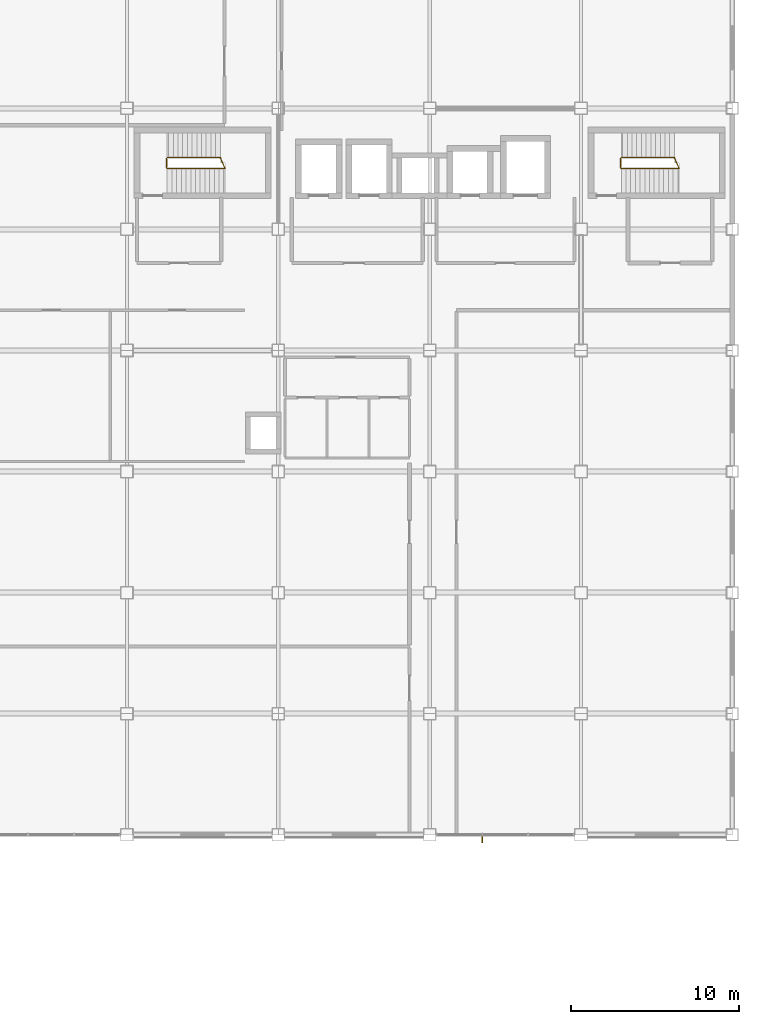
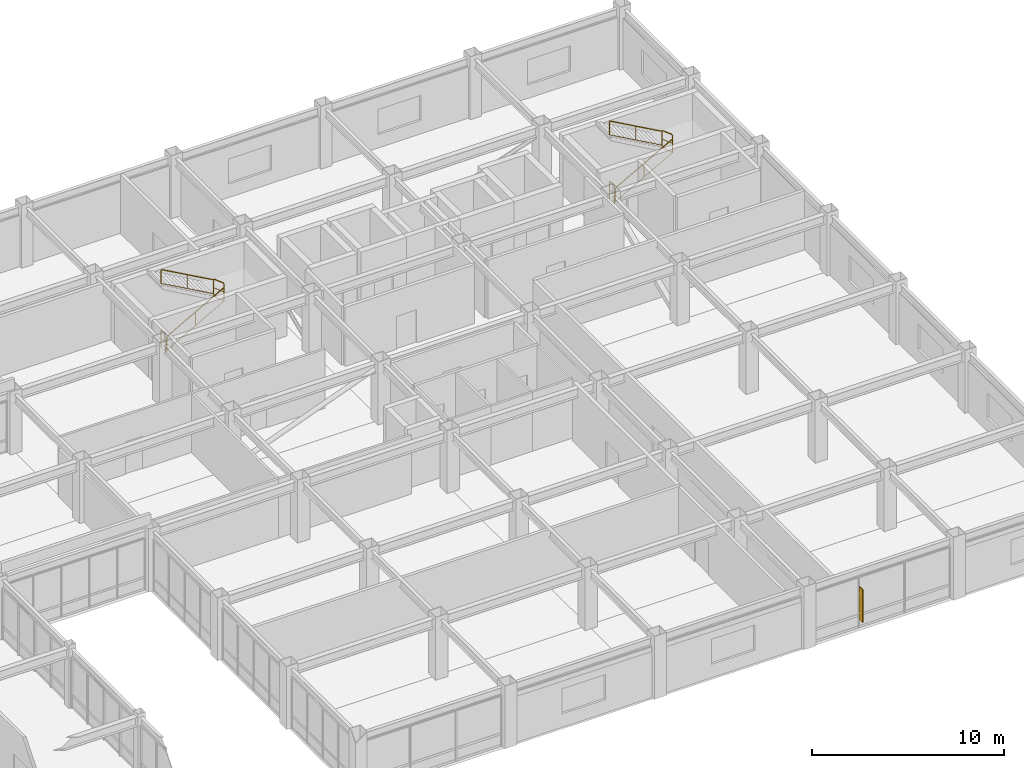
# One storey, part 122 of 122: 8 railings, 1 shading device.
"""IFC4 building model written with IfcOpenShell, lengths in metres."""

from ifc_helpers import new_model, si_unit, direction, frame, origin, origin_2d, place, context, subcontext, project, spatial, rectangle, extrude, material, type_object, element, save


model = new_model("IFC4")

# Units and contexts
model_context = context("Model", 3, precision=1e-05, world=origin(), true_north=direction((0.0, 1.0)))
body_context = subcontext(model_context, "Body", "Model", "MODEL_VIEW")
ifc_project = project(units=[si_unit("LENGTHUNIT", "METRE"), si_unit("AREAUNIT", "SQUARE_METRE"), si_unit("VOLUMEUNIT", "CUBIC_METRE"), si_unit("PLANEANGLEUNIT", "RADIAN"), si_unit("MASSUNIT", "GRAM", prefix="KILO")], contexts=[model_context])

# Site, building, storey
site_placement = place(None, origin())
site = spatial("IfcSite", under=ifc_project, at=site_placement, CompositionType="ELEMENT")
building_placement = place(site_placement, origin())
building = spatial("IfcBuilding", under=site, at=building_placement, Name="Kazanami Central Library", CompositionType="ELEMENT")
storey_placement = place(building_placement, frame((0.0, 0.0, 4.800048828125)))
storey = spatial("IfcBuildingStorey", under=building, at=storey_placement, Name="L02", CompositionType="ELEMENT", Elevation=4.800048828125)

# Railings
ifc_material_1 = material(Name="Stainless Steel SUS304", Category="steel")
railing_type_1 = type_object("IfcRailingType", Name="RAL-GR-S1", PredefinedType="GUARDRAIL", material=ifc_material_1)
railing_1_placement = place(storey_placement, frame((128.360107421875, 82.89501953125, 0.0)))
element("IfcRailing", 1, at=railing_1_placement, inside=storey, type_object=railing_type_1, Name="Stair Well Guard ST-01 L02", PredefinedType="GUARDRAIL", context=body_context, shape_type="SweptSolid", body=[
    extrude(rectangle(XDim=0.0439453125, YDim=0.0439453125, at=origin_2d()), frame((0.0, 0.02587890625, 1.1279296875), z_axis=(0.0, 1.0, 0.0), x_axis=(-1.0, 0.0, 0.0)), (0.0, 0.0, 1.0), 0.4580078125),
    extrude(rectangle(XDim=0.02392578125, YDim=0.02392578125, at=origin_2d()), frame((0.0, 0.02587890625, 0.015869140625), z_axis=(0.0, 1.0, 0.0), x_axis=(-1.0, 0.0, 0.0)), (0.0, 0.0, 1.0), 0.4580078125),
    extrude(rectangle(XDim=0.02392578125, YDim=0.02392578125, at=origin_2d()), frame((0.0, 0.02587890625, 0.574951171875), z_axis=(0.0, 1.0, 0.0), x_axis=(-1.0, 0.0, 0.0)), (0.0, 0.0, 1.0), 0.4580078125),
    extrude(rectangle(XDim=0.035888671875, YDim=0.035888671875, at=origin_2d()), origin(), (0.0, 0.0, 1.0), 1.10205078125),
    extrude(rectangle(XDim=0.035888671875, YDim=0.035888671875, at=origin_2d()), frame((0.0, 0.510009765625, 0.0)), (0.0, 0.0, 1.0), 1.10205078125),
])
railing_2_placement = place(storey_placement, frame((131.827880859375, 82.844970703125, 2.079833984375)))
element("IfcRailing", 2, at=railing_2_placement, inside=storey, type_object=railing_type_1, Name="Half-Landing Well Guard ST-01 L02", PredefinedType="GUARDRAIL", context=body_context, shape_type="SweptSolid", body=[
    extrude(rectangle(XDim=0.0439453125, YDim=0.0439453125, at=origin_2d()), frame((-0.0107421875, 0.023681640625, 1.1279296875), z_axis=(-0.416842571481, 0.90897869645, 0.0), x_axis=(-0.90897869645, -0.416842571481, 0.0)), (0.0, 0.0, 1.0), 0.619140625),
    extrude(rectangle(XDim=0.02392578125, YDim=0.02392578125, at=origin_2d()), frame((-0.0107421875, 0.023681640625, 0.015869140625), z_axis=(-0.416842571481, 0.90897869645, 0.0), x_axis=(-0.90897869645, -0.416842571481, 0.0)), (0.0, 0.0, 1.0), 0.619140625),
    extrude(rectangle(XDim=0.02392578125, YDim=0.02392578125, at=origin_2d()), frame((-0.0107421875, 0.023681640625, 0.574951171875), z_axis=(-0.416842571481, 0.90897869645, 0.0), x_axis=(-0.90897869645, -0.416842571481, 0.0)), (0.0, 0.0, 1.0), 0.619140625),
    extrude(rectangle(XDim=0.035888671875, YDim=0.035888671875, at=origin_2d()), origin(), (0.0, 0.0, 1.0), 1.10205078125),
    extrude(rectangle(XDim=0.035888671875, YDim=0.035888671875, at=origin_2d()), frame((-0.27978515625, 0.610107421875, 0.0)), (0.0, 0.0, 1.0), 1.10205078125),
])
railing_3_placement = place(storey_placement, frame((155.360107421875, 82.89501953125, 0.0)))
element("IfcRailing", 3, at=railing_3_placement, inside=storey, type_object=railing_type_1, Name="Stair Well Guard ST-02 L02", PredefinedType="GUARDRAIL", context=body_context, shape_type="SweptSolid", body=[
    extrude(rectangle(XDim=0.0439453125, YDim=0.0439453125, at=origin_2d()), frame((0.0, 0.02587890625, 1.1279296875), z_axis=(0.0, 1.0, 0.0), x_axis=(-1.0, 0.0, 0.0)), (0.0, 0.0, 1.0), 0.4580078125),
    extrude(rectangle(XDim=0.02392578125, YDim=0.02392578125, at=origin_2d()), frame((0.0, 0.02587890625, 0.015869140625), z_axis=(0.0, 1.0, 0.0), x_axis=(-1.0, 0.0, 0.0)), (0.0, 0.0, 1.0), 0.4580078125),
    extrude(rectangle(XDim=0.02392578125, YDim=0.02392578125, at=origin_2d()), frame((0.0, 0.02587890625, 0.574951171875), z_axis=(0.0, 1.0, 0.0), x_axis=(-1.0, 0.0, 0.0)), (0.0, 0.0, 1.0), 0.4580078125),
    extrude(rectangle(XDim=0.035888671875, YDim=0.035888671875, at=origin_2d()), origin(), (0.0, 0.0, 1.0), 1.10205078125),
    extrude(rectangle(XDim=0.035888671875, YDim=0.035888671875, at=origin_2d()), frame((0.0, 0.510009765625, 0.0)), (0.0, 0.0, 1.0), 1.10205078125),
])
railing_4_placement = place(storey_placement, frame((158.827880859375, 82.844970703125, 2.079833984375)))
element("IfcRailing", 4, at=railing_4_placement, inside=storey, type_object=railing_type_1, Name="Half-Landing Well Guard ST-02 L02", PredefinedType="GUARDRAIL", context=body_context, shape_type="SweptSolid", body=[
    extrude(rectangle(XDim=0.0439453125, YDim=0.0439453125, at=origin_2d()), frame((-0.0107421875, 0.023681640625, 1.1279296875), z_axis=(-0.416842571481, 0.90897869645, 0.0), x_axis=(-0.90897869645, -0.416842571481, 0.0)), (0.0, 0.0, 1.0), 0.619140625),
    extrude(rectangle(XDim=0.02392578125, YDim=0.02392578125, at=origin_2d()), frame((-0.0107421875, 0.023681640625, 0.015869140625), z_axis=(-0.416842571481, 0.90897869645, 0.0), x_axis=(-0.90897869645, -0.416842571481, 0.0)), (0.0, 0.0, 1.0), 0.619140625),
    extrude(rectangle(XDim=0.02392578125, YDim=0.02392578125, at=origin_2d()), frame((-0.0107421875, 0.023681640625, 0.574951171875), z_axis=(-0.416842571481, 0.90897869645, 0.0), x_axis=(-0.90897869645, -0.416842571481, 0.0)), (0.0, 0.0, 1.0), 0.619140625),
    extrude(rectangle(XDim=0.035888671875, YDim=0.035888671875, at=origin_2d()), origin(), (0.0, 0.0, 1.0), 1.10205078125),
    extrude(rectangle(XDim=0.035888671875, YDim=0.035888671875, at=origin_2d()), frame((-0.27978515625, 0.610107421875, 0.0)), (0.0, 0.0, 1.0), 1.10205078125),
])
railing_type_2 = type_object("IfcRailingType", Name="RAL-HR-01", PredefinedType="HANDRAIL", material=ifc_material_1)
for number, where, name in (
    (5, (128.39404296875, 82.824951171875, 0.159912109375), "Stair Handrail ST-01 Flight 1 (L02)"),
    (6, (155.39404296875, 82.824951171875, 0.159912109375), "Stair Handrail ST-02 Flight 1 (L02)"),
):
    element("IfcRailing", number, at=place(storey_placement, frame(where)), inside=storey, type_object=railing_type_2, Name=name, PredefinedType="HANDRAIL", context=body_context, shape_type="SweptSolid", body=[
        extrude(rectangle(XDim=0.0439453125, YDim=0.0439453125, at=origin_2d()), frame((0.022705078125, 0.0, 0.890625), z_axis=(0.872833868075, 0.0, 0.488017457415), x_axis=(0.0, 1.0, 0.0)), (0.0, 0.0, 1.0), 3.882080078125),
        extrude(rectangle(XDim=0.02392578125, YDim=0.02392578125, at=origin_2d()), frame((0.022705078125, 0.0, 0.028564453125), z_axis=(0.872833868075, 0.0, 0.488017457415), x_axis=(0.0, 1.0, 0.0)), (0.0, 0.0, 1.0), 3.882080078125),
        extrude(rectangle(XDim=0.035888671875, YDim=0.035888671875, at=origin_2d()), origin(), (0.0, 0.0, 1.0), 0.85205078125),
        extrude(rectangle(XDim=0.035888671875, YDim=0.035888671875, at=origin_2d()), frame((1.716796875, 0.0, 0.9599609375)), (0.0, 0.0, 1.0), 0.85205078125),
        extrude(rectangle(XDim=0.035888671875, YDim=0.035888671875, at=origin_2d()), frame((3.433837890625, 0.0, 1.919921875)), (0.0, 0.0, 1.0), 0.85205078125),
    ])
railing_type_3 = type_object("IfcRailingType", Name="RAL-HR-02", PredefinedType="HANDRAIL", material=ifc_material_1)
for number, where, name in (
    (7, (131.553955078125, 83.47509765625, 2.239990234375), "Stair Handrail ST-01 Flight 2 (L02)"),
    (8, (158.553955078125, 83.47509765625, 2.239990234375), "Stair Handrail ST-02 Flight 2 (L02)"),
):
    element("IfcRailing", number, at=place(storey_placement, frame(where)), inside=storey, type_object=railing_type_3, Name=name, PredefinedType="HANDRAIL", context=body_context, shape_type="SweptSolid", body=[
        extrude(rectangle(XDim=0.0439453125, YDim=0.0439453125, at=origin_2d()), frame((-0.022705078125, 0.0, 0.91064453125), z_axis=(-0.873243856975, 0.0, 0.487283455758), x_axis=(0.0, -1.0, 0.0)), (0.0, 0.0, 1.0), 3.559814453125),
        extrude(rectangle(XDim=0.02392578125, YDim=0.02392578125, at=origin_2d()), frame((-0.022705078125, 0.0, 0.028564453125), z_axis=(-0.873243856975, 0.0, 0.487283455758), x_axis=(0.0, -1.0, 0.0)), (0.0, 0.0, 1.0), 3.559814453125),
        extrude(rectangle(XDim=0.035888671875, YDim=0.035888671875, at=origin_2d()), origin(), (0.0, 0.0, 1.0), 0.8720703125),
        extrude(rectangle(XDim=0.035888671875, YDim=0.035888671875, at=origin_2d()), frame((-1.5771484375, 0.0, 0.8798828125)), (0.0, 0.0, 1.0), 0.8720703125),
        extrude(rectangle(XDim=0.035888671875, YDim=0.035888671875, at=origin_2d()), frame((-3.154052734375, 0.0, 1.760009765625)), (0.0, 0.0, 1.0), 0.8720703125),
    ])

# Shading device
ifc_material_2 = material(Name="Anodised Bronze-Grey Aluminium A6063-T5", Category="aluminium")
shading_device_type = type_object("IfcShadingDeviceType", Name="SHD-FIN-1", PredefinedType="USERDEFINED", material=ifc_material_2)
shading_device_placement = place(storey_placement, frame((147.125, 42.89990234375, 0.577392578125), z_axis=(0.0, 0.0, 1.0), x_axis=(1.0, 0.0, 0.0)))
element("IfcShadingDevice", 9, at=shading_device_placement, inside=storey, type_object=shading_device_type, Name="Vertical Solar Fin SF-01 L02 S-G-16.1", ObjectType="SOLAR FIN", PredefinedType="USERDEFINED", context=body_context, shape_type="SweptSolid", body=[
    extrude(rectangle(XDim=0.06005859375, YDim=0.360107421875, at=origin_2d()), origin(), (0.0, 0.0, 1.0), 2.10009765625),
])

save(model, "model.ifc")
